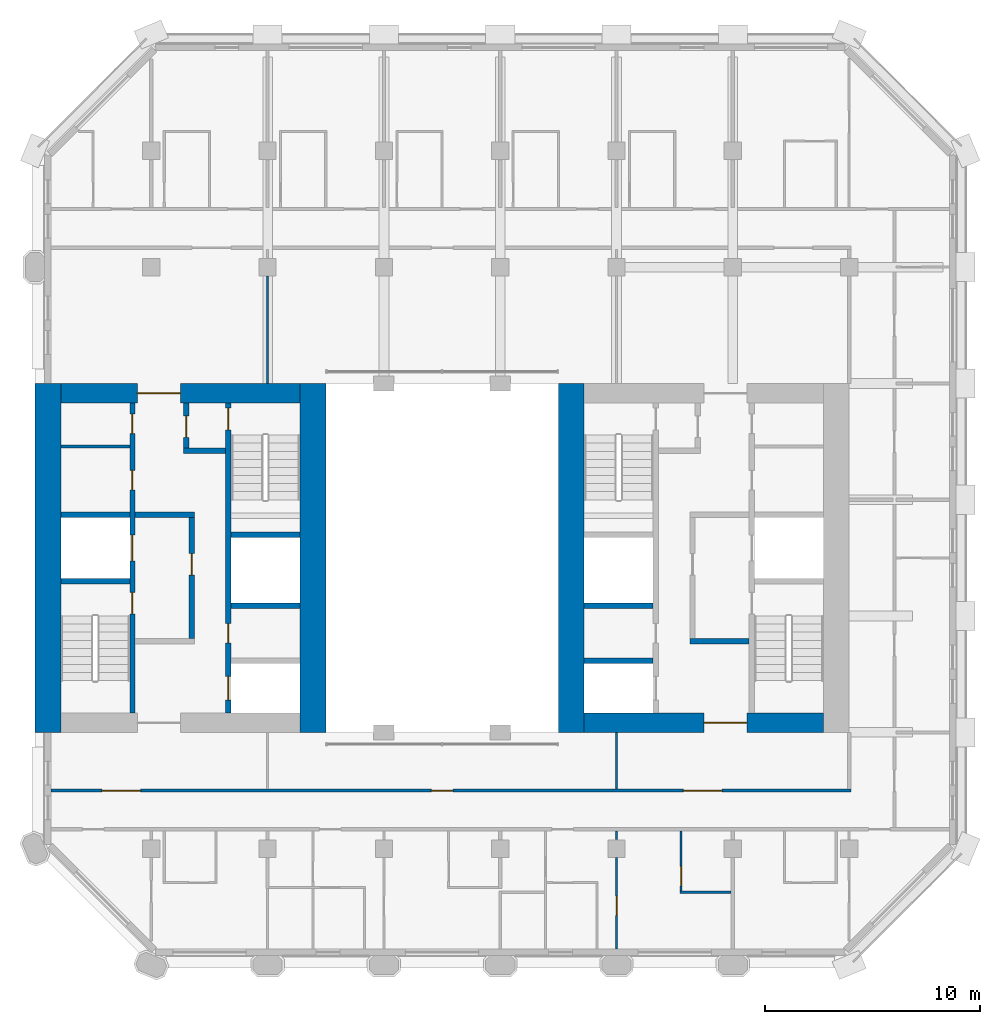
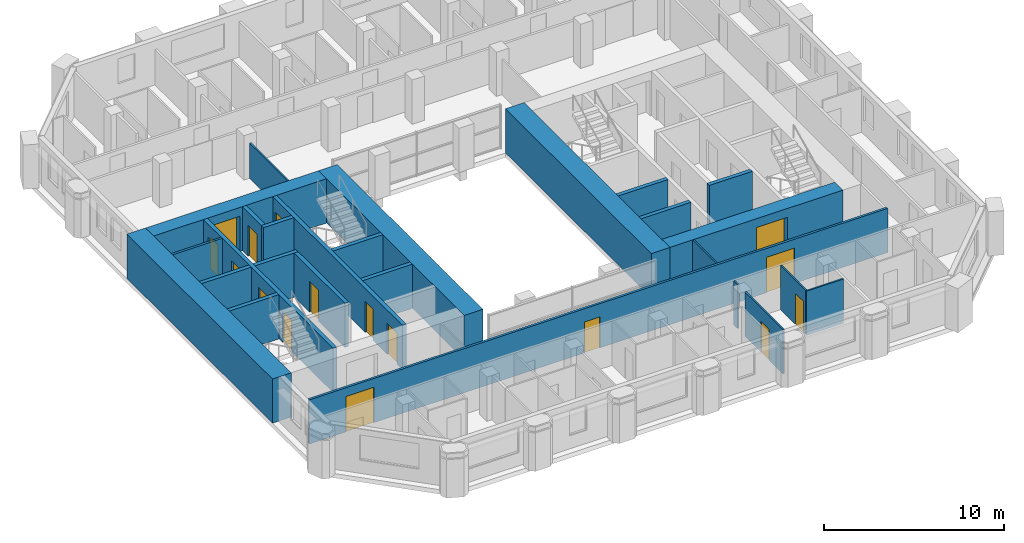
# One storey, part 5 of 12: 26 walls, 16 doors, 16 openings.
"""IFC4 building model written with IfcOpenShell, lengths in metres."""

import ifcopenshell
import ifcopenshell.guid

model = None  # the IFC model being written
_history = None  # IfcOwnerHistory: only IFC2X3 demands one
_inside = {}  # id of a spatial element -> (the spatial element, [elements in it])
_under = {}  # id of a project, library or spatial element -> (it, [spatial elements below it])
_declared = {}  # id of a project -> (the project, [libraries it declares])
_typed = {}  # id of a type object -> (the type object, [elements of that type])
_made_of = {}  # id of a material, layer set ... -> (it, [elements and type objects made of it])


def new_model(schema):
    """Start an empty IFC model of exactly this schema.

    Asked for "IFC4X3", IfcOpenShell would pick the latest addendum, in which some entities
    have other attributes; the version numbers below select the first issue.
    IFC2X3 requires an IfcOwnerHistory on every rooted entity: one is made here for all.
    """
    global model, _history
    if schema == "IFC4X3":
        model = ifcopenshell.file(schema_version=(4, 3, 0, 0))
    else:
        model = ifcopenshell.file(schema=schema)
    _inside.clear()
    _under.clear()
    _declared.clear()
    _typed.clear()
    _made_of.clear()
    _history = None
    if model.schema == "IFC2X3":
        org = make("IfcOrganization", Name="unknown")
        user = make(
            "IfcPersonAndOrganization",
            ThePerson=make("IfcPerson", FamilyName="unknown"),
            TheOrganization=org,
        )
        app = make(
            "IfcApplication",
            ApplicationDeveloper=org,
            Version="unknown",
            ApplicationFullName="unknown",
            ApplicationIdentifier="unknown",
        )
        _history = make(
            "IfcOwnerHistory",
            OwningUser=user,
            OwningApplication=app,
            ChangeAction="ADDED",
            CreationDate=0,
        )
    return model


def make(cls, **values):
    """One entity of the class cls with the attributes given. An attribute that is None is left unset."""
    return model.create_entity(
        cls, **{name: value for name, value in values.items() if value is not None}
    )


def rooted(cls, **values):
    """An entity with a GlobalId (a new one), such as an element, a storey or a relation."""
    return make(cls, GlobalId=ifcopenshell.guid.new(), OwnerHistory=_history, **values)


def si_unit(unit_type, name, prefix=None):
    """IfcSIUnit, for example si_unit("LENGTHUNIT", "METRE", prefix="MILLI")."""
    return make("IfcSIUnit", UnitType=unit_type, Prefix=prefix, Name=name)


def assignment(units):
    """IfcUnitAssignment: the units of a project."""
    return None if units is None else make("IfcUnitAssignment", Units=units)


def point(xyz):
    """IfcCartesianPoint."""
    return None if xyz is None else make("IfcCartesianPoint", Coordinates=xyz)


def direction(xyz):
    """IfcDirection."""
    return None if xyz is None else make("IfcDirection", DirectionRatios=xyz)


def frame(location, z_axis=None, x_axis=None):
    """IfcAxis2Placement3D, a coordinate frame: its origin and axes. An axis left out is left unset."""
    return make(
        "IfcAxis2Placement3D",
        Location=point(location),
        Axis=direction(z_axis),
        RefDirection=direction(x_axis),
    )


def frame_2d(location, x_axis=None):
    """IfcAxis2Placement2D, a coordinate frame in the plane: its origin and x axis."""
    return make(
        "IfcAxis2Placement2D", Location=point(location), RefDirection=direction(x_axis)
    )


def origin():
    """The frame at (0, 0, 0) with its axes left unset."""
    return frame((0.0, 0.0, 0.0))


def place(relative_to, where):
    """IfcLocalPlacement: puts the frame where relative to a parent placement (None: the world)."""
    return make(
        "IfcLocalPlacement", PlacementRelTo=relative_to, RelativePlacement=where
    )


def context(
    kind, dimensions, precision=None, world=None, true_north=None, identifier=None
):
    """IfcGeometricRepresentationContext, for example the 3D "Model" context."""
    return make(
        "IfcGeometricRepresentationContext",
        ContextIdentifier=identifier,
        ContextType=kind,
        CoordinateSpaceDimension=dimensions,
        Precision=precision,
        WorldCoordinateSystem=world,
        TrueNorth=true_north,
    )


def subcontext(parent, identifier, kind, view, scale=None):
    """IfcGeometricRepresentationSubContext, for example "Body" below "Model"."""
    return make(
        "IfcGeometricRepresentationSubContext",
        ContextIdentifier=identifier,
        ContextType=kind,
        ParentContext=parent,
        TargetScale=scale,
        TargetView=view,
    )


def project(units=None, contexts=None):
    """IfcProject with its units and contexts."""
    return rooted(
        "IfcProject",
        Name="project",
        RepresentationContexts=contexts,
        UnitsInContext=assignment(units),
    )


def spatial(cls, under=None, at=None, **own):
    """A site, building, storey or space (cls), placed at a placement, below another one or the project."""
    s = rooted(cls, ObjectPlacement=at, **own)
    if under is not None:
        _under.setdefault(under.id(), (under, []))[1].append(s)
    return s


def profile(cls, at=None, kind="AREA", **sizes):
    """A parametric profile (cls). Its sizes go by their IFC names, for example OverallWidth=200.0."""
    return make(cls, ProfileType=kind, Position=at, **sizes)


def rectangle(**sizes):
    """IfcRectangleProfileDef."""
    return profile("IfcRectangleProfileDef", **sizes)


def extrude(swept, where, along, depth):
    """IfcExtrudedAreaSolid: the profile swept, set in the frame where, extruded along a direction by depth."""
    return make(
        "IfcExtrudedAreaSolid",
        SweptArea=swept,
        Position=where,
        ExtrudedDirection=direction(along),
        Depth=depth,
    )


def shape(context_of_items, identifier, shape_type, items):
    """IfcShapeRepresentation: the items that make up one representation, for example the "Body"."""
    return make(
        "IfcShapeRepresentation",
        ContextOfItems=context_of_items,
        RepresentationIdentifier=identifier,
        RepresentationType=shape_type,
        Items=items,
    )


def material(Name=None, Category=None):
    """IfcMaterial."""
    return make("IfcMaterial", Name=Name, Category=Category)


def layer(
    of_material, thickness, ventilated=None, Name=None, Category=None, Priority=None
):
    """IfcMaterialLayer: one layer of a wall or slab, of a material (None: an air gap)."""
    return make(
        "IfcMaterialLayer",
        Material=of_material,
        LayerThickness=thickness,
        IsVentilated=ventilated,
        Name=Name,
        Category=Category,
        Priority=Priority,
    )


def layer_set(layers, Name=None):
    """IfcMaterialLayerSet."""
    return make("IfcMaterialLayerSet", MaterialLayers=layers, LayerSetName=Name)


def made_of(thing, what):
    """Note that an element or type object is made of a material, layer set ...; save() writes the relation."""
    if what is not None:
        _made_of.setdefault(what.id(), (what, []))[1].append(thing)
    return thing


def type_object(cls, material=None, **own):
    """A type object (cls), such as IfcWallType, which elements share."""
    return made_of(rooted(cls, **own), material)


def element(
    cls,
    number,
    at=None,
    inside=None,
    cuts=None,
    type_object=None,
    material=None,
    context=None,
    identifier="Body",
    shape_type=None,
    held_by="IfcProductDefinitionShape",
    body=None,
    shapes=None,
    **own,
):
    """One element of the class cls, such as IfcWall. Its Tag is "e" and its number.

    at: its placement. inside: the storey or other place that contains it. cuts: it is an
    opening in that element (IfcRelVoidsElement). A single representation is given by context,
    identifier, shape_type and body (its items); several are given by shapes. held_by: the class
    of the entity that holds the representations. save() writes the other relations.
    """
    e = rooted(cls, Tag="e%d" % number, ObjectPlacement=at, **own)
    if body is not None:
        shapes = [shape(context, identifier, shape_type, body)]
    if shapes is not None:
        e.Representation = make(held_by, Representations=shapes)
    if inside is not None:
        _inside.setdefault(inside.id(), (inside, []))[1].append(e)
    if cuts is not None:
        rooted(
            "IfcRelVoidsElement", RelatingBuildingElement=cuts, RelatedOpeningElement=e
        )
    if type_object is not None:
        _typed.setdefault(type_object.id(), (type_object, []))[1].append(e)
    return made_of(e, material)


def fill(opening, filler):
    """IfcRelFillsElement: the door or window that sits in an opening."""
    return rooted(
        "IfcRelFillsElement",
        RelatingOpeningElement=opening,
        RelatedBuildingElement=filler,
    )


def aggregate(whole, parts):
    """IfcRelAggregates: a whole, such as a stair, and the parts it consists of."""
    return rooted("IfcRelAggregates", RelatingObject=whole, RelatedObjects=parts)


def save(model, path):
    """Write the relations noted so far, then the file.

    IfcRelAggregates (storeys below a building ...), IfcRelContainedInSpatialStructure (elements
    in a storey), IfcRelDefinesByType, IfcRelAssociatesMaterial and IfcRelDeclares: one each for
    every whole, place, type object, material and project.
    """
    for whole, parts in _under.values():
        aggregate(whole, parts)
    for where, things in _inside.values():
        rooted(
            "IfcRelContainedInSpatialStructure",
            RelatedElements=things,
            RelatingStructure=where,
        )
    for kind, things in _typed.values():
        rooted("IfcRelDefinesByType", RelatedObjects=things, RelatingType=kind)
    for what, things in _made_of.values():
        rooted("IfcRelAssociatesMaterial", RelatedObjects=things, RelatingMaterial=what)
    for by, libraries in _declared.values():
        rooted("IfcRelDeclares", RelatingContext=by, RelatedDefinitions=libraries)
    model.write(path)


model = new_model("IFC4")

# Units and contexts
model_context = context("Model", 3, precision=1e-05, world=origin(), true_north=direction((0.0, 1.0)))
body_context = subcontext(model_context, "Body", "Model", "MODEL_VIEW")
ifc_project = project(units=[si_unit("LENGTHUNIT", "METRE"), si_unit("AREAUNIT", "SQUARE_METRE"), si_unit("VOLUMEUNIT", "CUBIC_METRE"), si_unit("PLANEANGLEUNIT", "RADIAN"), si_unit("MASSUNIT", "GRAM", prefix="KILO")], contexts=[model_context])

# Site, building, storey
site_placement = place(None, origin())
site = spatial("IfcSite", under=ifc_project, at=site_placement, CompositionType="ELEMENT")
building_placement = place(site_placement, origin())
building = spatial("IfcBuilding", under=site, at=building_placement, Name="Tabaq Tower and Sports Hall", CompositionType="ELEMENT")
storey_placement = place(building_placement, frame((0.0, 0.0, 187.300048828125)))
storey = spatial("IfcBuildingStorey", under=building, at=storey_placement, Name="L45", CompositionType="ELEMENT", Elevation=187.300048828125)

# Walls
ifc_material_1 = material(Name="Blockwork", Category="masonry")
ifc_layer_1 = layer(ifc_material_1, 0.14990234375)
ifc_layer_set_1 = layer_set([ifc_layer_1], Name="Core room partition 150 Blockwork")
wall_type_1 = type_object("IfcWallType", Name="Core room partition 150 Blockwork", PredefinedType="PARTITIONING", material=ifc_layer_set_1)
wall_1_placement = place(storey_placement, frame((6.60009765625, 29.469970703125, 0.0), z_axis=(0.0, 0.0, 1.0), x_axis=(1.0, 0.0, 0.0)))
element("IfcWall", 1, at=wall_1_placement, inside=storey, type_object=wall_type_1, Name="Core room partition W L45", PredefinedType="PARTITIONING", context=body_context, shape_type="SweptSolid", body=[
    extrude(rectangle(XDim=3.199951171875, YDim=0.14990234375, at=frame_2d((1.60009765625, 0.0))), origin(), (0.0, 0.0, 1.0), 3.0),
])
ifc_material_2 = material(Name="Concrete C50/60", Category="concrete")
ifc_layer_2 = layer(ifc_material_2, 1.199951171875)
ifc_layer_set_2 = layer_set([ifc_layer_2], Name="Core wall 1200 Concrete C50/60")
wall_type_2 = type_object("IfcWallType", Name="Core wall 1200 Concrete C50/60", PredefinedType="SOLIDWALL", material=ifc_layer_set_2)
for number, where, z_axis, x_axis, name in (
    (2, (6.0, 16.199951171875, 0.0), (0.0, 0.0, 1.0), (0.0, 1.0, 0.0), "Core wall W L45"),
    (3, (18.300048828125, 32.39990234375, 0.0), (0.0, 0.0, 1.0), (0.0, -1.0, 0.0), "Core wall W L45"),
    (4, (30.300048828125, 16.199951171875, 0.0), (0.0, 0.0, 1.0), (0.0, 1.0, 0.0), "Core wall E L45"),
):
    element("IfcWall", number, at=place(storey_placement, frame(where, z_axis=z_axis, x_axis=x_axis)), inside=storey, type_object=wall_type_2, Name=name, PredefinedType="SOLIDWALL", context=body_context, shape_type="SweptSolid", body=[
        extrude(rectangle(XDim=16.199951171875, YDim=1.199951171875, at=frame_2d((8.10009765625, 0.0))), origin(), (0.0, 0.0, 1.0), 3.0),
    ])

# Wall, opening, door
ifc_material_3 = material(Name="Concrete C50/60", Category="concrete")
ifc_layer_3 = layer(ifc_material_3, 0.89990234375)
ifc_layer_set_3 = layer_set([ifc_layer_3], Name="Core wall 900 Concrete C50/60")
wall_type_3 = type_object("IfcWallType", Name="Core wall 900 Concrete C50/60", PredefinedType="SOLIDWALL", material=ifc_layer_set_3)
wall_2_placement = place(storey_placement, frame((6.60009765625, 31.949951171875, 0.0), z_axis=(0.0, 0.0, 1.0), x_axis=(1.0, 0.0, 0.0)))
wall_2 = element("IfcWall", 5, at=wall_2_placement, inside=storey, type_object=wall_type_3, Name="Core wall W L45", PredefinedType="SOLIDWALL", context=body_context, shape_type="SweptSolid", body=[
    extrude(rectangle(XDim=11.099853515625, YDim=0.89990234375, at=frame_2d((5.5498046875, 0.0))), origin(), (0.0, 0.0, 1.0), 3.0),
])
opening_1_placement = place(wall_2_placement, frame((3.550048828125, 0.0, 0.0)))
opening_1 = element("IfcOpeningElement", 6, at=opening_1_placement, cuts=wall_2, Name="Opening PD-WL45-02", PredefinedType="OPENING", context=body_context, shape_type="SweptSolid", body=[
    extrude(rectangle(XDim=2.0, YDim=2.39990234375, at=frame_2d((1.0, 1.199951171875))), frame((0.0, 0.449951171875, 0.0), z_axis=(0.0, -1.0, 0.0), x_axis=(1.0, 0.0, 0.0)), (0.0, 0.0, 1.0), 0.89990234375),
])
ifc_material_4 = material(Name="Steel fire door", Category="steel")
door_type_1 = type_object("IfcDoorType", Name="Core entrance door 2000", OperationType="DOUBLE_DOOR_SINGLE_SWING", PredefinedType="DOOR", material=ifc_material_4)
door_1_placement = place(opening_1_placement, origin())
door_1 = element("IfcDoor", 7, at=door_1_placement, inside=storey, type_object=door_type_1, Name="Core entrance north W L45", OperationType="DOUBLE_DOOR_SINGLE_SWING", OverallHeight=2.39990234375, OverallWidth=2.0, PredefinedType="DOOR", context=body_context, shape_type="SweptSolid", body=[
    extrude(rectangle(XDim=2.0, YDim=2.39990234375, at=frame_2d((1.0, 1.199951171875))), frame((0.0, 0.02490234375, 0.0), z_axis=(0.0, -1.0, 0.0), x_axis=(1.0, 0.0, 0.0)), (0.0, 0.0, 1.0), 0.050048828125),
])
fill(opening_1, door_1)

wall_3_placement = place(storey_placement, frame((42.0, 16.64990234375, 0.0), z_axis=(0.0, 0.0, 1.0), x_axis=(-1.0, 0.0, 0.0)))
wall_3 = element("IfcWall", 8, at=wall_3_placement, inside=storey, type_object=wall_type_3, Name="Core wall E L45", PredefinedType="SOLIDWALL", context=body_context, shape_type="SweptSolid", body=[
    extrude(rectangle(XDim=11.10009765625, YDim=0.89990234375, at=frame_2d((5.550048828125, 0.0))), origin(), (0.0, 0.0, 1.0), 3.0),
])
opening_2_placement = place(wall_3_placement, frame((3.550048828125, 0.0, 0.0)))
opening_2 = element("IfcOpeningElement", 9, at=opening_2_placement, cuts=wall_3, Name="Opening PD-EL45-01", PredefinedType="OPENING", context=body_context, shape_type="SweptSolid", body=[
    extrude(rectangle(XDim=2.0, YDim=2.39990234375, at=frame_2d((1.0, 1.199951171875))), frame((0.0, 0.449951171875, 0.0), z_axis=(0.0, -1.0, 0.0), x_axis=(1.0, 0.0, 0.0)), (0.0, 0.0, 1.0), 0.89990234375),
])
door_2_placement = place(opening_2_placement, origin())
door_2 = element("IfcDoor", 10, at=door_2_placement, inside=storey, type_object=door_type_1, Name="Core entrance south E L45", OperationType="DOUBLE_DOOR_SINGLE_SWING", OverallHeight=2.39990234375, OverallWidth=2.0, PredefinedType="DOOR", context=body_context, shape_type="SweptSolid", body=[
    extrude(rectangle(XDim=2.0, YDim=2.39990234375, at=frame_2d((1.0, 1.199951171875))), frame((0.0, 0.02490234375, 0.0), z_axis=(0.0, -1.0, 0.0), x_axis=(1.0, 0.0, 0.0)), (0.0, 0.0, 1.0), 0.050048828125),
])
fill(opening_2, door_2)

# Walls
ifc_material_5 = material(Name="Gypsum board on steel studs", Category="steel")
ifc_layer_4 = layer(ifc_material_5, 0.10009765625)
ifc_layer_set_4 = layer_set([ifc_layer_4], Name="Partition 100 Gypsum board")
wall_type_4 = type_object("IfcWallType", Name="Partition 100 Gypsum board", PredefinedType="PARTITIONING", material=ifc_layer_set_4)
wall_4_placement = place(storey_placement, frame((16.199951171875, 37.3798828125, 0.0), z_axis=(0.0, 0.0, 1.0), x_axis=(0.0, -1.0, 0.0)))
element("IfcWall", 11, at=wall_4_placement, inside=storey, type_object=wall_type_4, Name="Partition wall L45", PredefinedType="PARTITIONING", context=body_context, shape_type="SweptSolid", body=[
    extrude(rectangle(XDim=4.97998046875, YDim=0.10009765625, at=frame_2d((2.489990234375, 0.0))), origin(), (0.0, 0.0, 1.0), 2.39990234375),
])
wall_5_placement = place(storey_placement, frame((37.72509765625, 8.77490234375, 0.0), z_axis=(0.0, 0.0, 1.0), x_axis=(-1.0, 0.0, 0.0)))
element("IfcWall", 12, at=wall_5_placement, inside=storey, type_object=wall_type_4, Name="Partition wall L45", PredefinedType="PARTITIONING", context=body_context, shape_type="SweptSolid", body=[
    extrude(rectangle(XDim=2.375, YDim=0.10009765625, at=frame_2d((1.1875, 0.0))), origin(), (0.0, 0.0, 1.0), 3.0),
])

# Wall, opening, door
wall_6_placement = place(storey_placement, frame((35.39990234375, 8.824951171875, 0.0), z_axis=(0.0, 0.0, 1.0), x_axis=(0.0, 1.0, 0.0)))
wall_6 = element("IfcWall", 13, at=wall_6_placement, inside=storey, type_object=wall_type_4, Name="Partition wall L45", PredefinedType="PARTITIONING", context=body_context, shape_type="SweptSolid", body=[
    extrude(rectangle(XDim=2.800048828125, YDim=0.10009765625, at=frame_2d((1.39990234375, 0.0))), origin(), (0.0, 0.0, 1.0), 3.0),
])
opening_3_placement = place(wall_6_placement, frame((0.25, 0.0, 0.0)))
opening_3 = element("IfcOpeningElement", 14, at=opening_3_placement, cuts=wall_6, Name="Opening L45-016", PredefinedType="OPENING", context=body_context, shape_type="SweptSolid", body=[
    extrude(rectangle(XDim=0.89990234375, YDim=2.10009765625, at=frame_2d((0.449951171875, 1.050048828125))), frame((0.0, 0.050048828125, 0.0), z_axis=(0.0, -1.0, 0.0), x_axis=(1.0, 0.0, 0.0)), (0.0, 0.0, 1.0), 0.10009765625),
])
ifc_material_6 = material(Name="Timber leaf in steel frame", Category="steel")
door_type_2 = type_object("IfcDoorType", Name="Internal door 900 right hand", OperationType="SINGLE_SWING_RIGHT", PredefinedType="DOOR", material=ifc_material_6)
door_3_placement = place(opening_3_placement, origin())
door_3 = element("IfcDoor", 15, at=door_3_placement, inside=storey, type_object=door_type_2, Name="Internal door L45-016", OperationType="SINGLE_SWING_RIGHT", OverallHeight=2.10009765625, OverallWidth=0.89990234375, PredefinedType="DOOR", context=body_context, shape_type="SweptSolid", body=[
    extrude(rectangle(XDim=0.89990234375, YDim=2.10009765625, at=frame_2d((0.449951171875, 1.050048828125))), frame((0.0, 0.02490234375, 0.0), z_axis=(0.0, -1.0, 0.0), x_axis=(1.0, 0.0, 0.0)), (0.0, 0.0, 1.0), 0.050048828125),
])
fill(opening_3, door_3)

# Wall
wall_7_placement = place(storey_placement, frame((32.39990234375, 11.625, 0.0), z_axis=(0.0, 0.0, 1.0), x_axis=(0.0, -1.0, 0.0)))
element("IfcWall", 16, at=wall_7_placement, inside=storey, type_object=wall_type_4, Name="Partition wall L45", PredefinedType="PARTITIONING", context=body_context, shape_type="SweptSolid", body=[
    extrude(rectangle(XDim=0.405029296875, YDim=0.10009765625, at=frame_2d((0.20263671875, 0.0))), origin(), (0.0, 0.0, 1.0), 3.0),
])

# Wall, opening, door
wall_8_placement = place(storey_placement, frame((32.39990234375, 10.3798828125, 0.0), z_axis=(0.0, 0.0, 1.0), x_axis=(0.0, -1.0, 0.0)))
wall_8 = element("IfcWall", 17, at=wall_8_placement, inside=storey, type_object=wall_type_4, Name="Partition wall L45", PredefinedType="PARTITIONING", context=body_context, shape_type="SweptSolid", body=[
    extrude(rectangle(XDim=4.22900390625, YDim=0.10009765625, at=frame_2d((2.114501953125, 0.0))), origin(), (0.0, 0.0, 1.0), 3.0),
])
opening_4_placement = place(wall_8_placement, frame((1.780029296875, 0.0, 0.0)))
opening_4 = element("IfcOpeningElement", 18, at=opening_4_placement, cuts=wall_8, Name="Opening L45-036", PredefinedType="OPENING", context=body_context, shape_type="SweptSolid", body=[
    extrude(rectangle(XDim=0.89990234375, YDim=2.10009765625, at=frame_2d((0.449951171875, 1.050048828125))), frame((0.0, 0.050048828125, 0.0), z_axis=(0.0, -1.0, 0.0), x_axis=(1.0, 0.0, 0.0)), (0.0, 0.0, 1.0), 0.10009765625),
])
ifc_material_7 = material(Name="Timber leaf in steel frame", Category="steel")
door_type_3 = type_object("IfcDoorType", Name="Internal door 900 left hand", OperationType="SINGLE_SWING_LEFT", PredefinedType="DOOR", material=ifc_material_7)
door_4_placement = place(opening_4_placement, origin())
door_4 = element("IfcDoor", 19, at=door_4_placement, inside=storey, type_object=door_type_3, Name="Internal door L45-036", OperationType="SINGLE_SWING_LEFT", OverallHeight=2.10009765625, OverallWidth=0.89990234375, PredefinedType="DOOR", context=body_context, shape_type="SweptSolid", body=[
    extrude(rectangle(XDim=0.89990234375, YDim=2.10009765625, at=frame_2d((0.449951171875, 1.050048828125))), frame((0.0, 0.02490234375, 0.0), z_axis=(0.0, -1.0, 0.0), x_axis=(1.0, 0.0, 0.0)), (0.0, 0.0, 1.0), 0.050048828125),
])
fill(opening_4, door_4)

# Wall
wall_9_placement = place(storey_placement, frame((32.39990234375, 13.574951171875, 0.0), z_axis=(0.0, 0.0, 1.0), x_axis=(0.0, 1.0, 0.0)))
element("IfcWall", 20, at=wall_9_placement, inside=storey, type_object=wall_type_4, Name="Partition wall L45", PredefinedType="PARTITIONING", context=body_context, shape_type="SweptSolid", body=[
    extrude(rectangle(XDim=2.625, YDim=0.10009765625, at=frame_2d((1.3125, 0.0))), origin(), (0.0, 0.0, 1.0), 3.0),
])

# Wall, openings, doors
ifc_material_8 = material(Name="Blockwork", Category="masonry")
ifc_layer_5 = layer(ifc_material_8, 0.14990234375)
ifc_layer_set_5 = layer_set([ifc_layer_5], Name="Separating wall 150 Blockwork")
wall_type_5 = type_object("IfcWallType", Name="Separating wall 150 Blockwork", PredefinedType="PARTITIONING", material=ifc_layer_set_5)
wall_10_placement = place(storey_placement, frame((6.15087890625, 13.5, 0.0), z_axis=(0.0, 0.0, 1.0), x_axis=(1.0, 0.0, 0.0)))
wall_10 = element("IfcWall", 21, at=wall_10_placement, inside=storey, type_object=wall_type_5, Name="Separating wall L45", PredefinedType="PARTITIONING", context=body_context, shape_type="SweptSolid", body=[
    extrude(rectangle(XDim=37.1240234375, YDim=0.14990234375, at=frame_2d((18.56201171875, 0.0))), origin(), (0.0, 0.0, 1.0), 3.0),
])
opening_5_placement = place(wall_10_placement, frame((17.64892578125, 0.0, 0.0)))
opening_5 = element("IfcOpeningElement", 22, at=opening_5_placement, cuts=wall_10, Name="Opening L45-020", PredefinedType="OPENING", context=body_context, shape_type="SweptSolid", body=[
    extrude(rectangle(XDim=1.0, YDim=2.10009765625, at=frame_2d((0.5, 1.050048828125))), frame((0.0, 0.074951171875, 0.0), z_axis=(0.0, -1.0, 0.0), x_axis=(1.0, 0.0, 0.0)), (0.0, 0.0, 1.0), 0.14990234375),
])
opening_6_placement = place(wall_10_placement, frame((2.34912109375, 0.0, 0.0)))
opening_6 = element("IfcOpeningElement", 23, at=opening_6_placement, cuts=wall_10, Name="Opening L45-040", PredefinedType="OPENING", context=body_context, shape_type="SweptSolid", body=[
    extrude(rectangle(XDim=1.800048828125, YDim=2.39990234375, at=frame_2d((0.89990234375, 1.199951171875))), frame((0.0, 0.074951171875, 0.0), z_axis=(0.0, -1.0, 0.0), x_axis=(1.0, 0.0, 0.0)), (0.0, 0.0, 1.0), 0.14990234375),
])
opening_7_placement = place(wall_10_placement, frame((29.34912109375, 0.0, 0.0)))
opening_7 = element("IfcOpeningElement", 24, at=opening_7_placement, cuts=wall_10, Name="Opening L45-041", PredefinedType="OPENING", context=body_context, shape_type="SweptSolid", body=[
    extrude(rectangle(XDim=1.800048828125, YDim=2.39990234375, at=frame_2d((0.89990234375, 1.199951171875))), frame((0.0, 0.074951171875, 0.0), z_axis=(0.0, -1.0, 0.0), x_axis=(1.0, 0.0, 0.0)), (0.0, 0.0, 1.0), 0.14990234375),
])
ifc_material_9 = material(Name="Timber leaf in steel frame", Category="steel")
door_type_4 = type_object("IfcDoorType", Name="Internal door 1000 left hand", OperationType="SINGLE_SWING_LEFT", PredefinedType="DOOR", material=ifc_material_9)
door_5_placement = place(opening_5_placement, origin())
door_5 = element("IfcDoor", 25, at=door_5_placement, inside=storey, type_object=door_type_4, Name="Internal door L45-020", OperationType="SINGLE_SWING_LEFT", OverallHeight=2.10009765625, OverallWidth=1.0, PredefinedType="DOOR", context=body_context, shape_type="SweptSolid", body=[
    extrude(rectangle(XDim=1.0, YDim=2.10009765625, at=frame_2d((0.5, 1.050048828125))), frame((0.0, 0.02490234375, 0.0), z_axis=(0.0, -1.0, 0.0), x_axis=(1.0, 0.0, 0.0)), (0.0, 0.0, 1.0), 0.050048828125),
])
fill(opening_5, door_5)
ifc_material_10 = material(Name="Timber leaf in steel frame", Category="steel")
door_type_5 = type_object("IfcDoorType", Name="Internal door 1800", OperationType="DOUBLE_DOOR_SINGLE_SWING", PredefinedType="DOOR", material=ifc_material_10)
door_6_placement = place(opening_6_placement, origin())
door_6 = element("IfcDoor", 26, at=door_6_placement, inside=storey, type_object=door_type_5, Name="Internal door L45-040", OperationType="DOUBLE_DOOR_SINGLE_SWING", OverallHeight=2.39990234375, OverallWidth=1.800048828125, PredefinedType="DOOR", context=body_context, shape_type="SweptSolid", body=[
    extrude(rectangle(XDim=1.800048828125, YDim=2.39990234375, at=frame_2d((0.89990234375, 1.199951171875))), frame((0.0, 0.02490234375, 0.0), z_axis=(0.0, -1.0, 0.0), x_axis=(1.0, 0.0, 0.0)), (0.0, 0.0, 1.0), 0.050048828125),
])
fill(opening_6, door_6)
door_7_placement = place(opening_7_placement, origin())
door_7 = element("IfcDoor", 27, at=door_7_placement, inside=storey, type_object=door_type_5, Name="Internal door L45-041", OperationType="DOUBLE_DOOR_SINGLE_SWING", OverallHeight=2.39990234375, OverallWidth=1.800048828125, PredefinedType="DOOR", context=body_context, shape_type="SweptSolid", body=[
    extrude(rectangle(XDim=1.800048828125, YDim=2.39990234375, at=frame_2d((0.89990234375, 1.199951171875))), frame((0.0, 0.02490234375, 0.0), z_axis=(0.0, -1.0, 0.0), x_axis=(1.0, 0.0, 0.0)), (0.0, 0.0, 1.0), 0.050048828125),
])
fill(opening_7, door_7)

ifc_material_11 = material(Name="Concrete C40/50", Category="concrete")
ifc_layer_6 = layer(ifc_material_11, 0.25)
ifc_layer_set_6 = layer_set([ifc_layer_6], Name="Shaft and stair wall 250 Concrete C40/50")
wall_type_6 = type_object("IfcWallType", Name="Shaft and stair wall 250 Concrete C40/50", PredefinedType="SOLIDWALL", material=ifc_layer_set_6)
wall_11_placement = place(storey_placement, frame((9.925048828125, 17.10009765625, 0.0), z_axis=(0.0, 0.0, 1.0), x_axis=(0.0, 1.0, 0.0)))
wall_11 = element("IfcWall", 28, at=wall_11_placement, inside=storey, type_object=wall_type_6, Name="Shaft wall W L45", PredefinedType="SOLIDWALL", context=body_context, shape_type="SweptSolid", body=[
    extrude(rectangle(XDim=14.39990234375, YDim=0.25, at=frame_2d((7.199951171875, 0.0))), origin(), (0.0, 0.0, 1.0), 3.0),
])
opening_8_placement = place(wall_11_placement, frame((4.60009765625, 0.0, 0.0)))
opening_8 = element("IfcOpeningElement", 29, at=opening_8_placement, cuts=wall_11, Name="Opening SD-WL45-03", PredefinedType="OPENING", context=body_context, shape_type="SweptSolid", body=[
    extrude(rectangle(XDim=1.0, YDim=2.10009765625, at=frame_2d((0.5, 1.050048828125))), frame((0.0, 0.125, 0.0), z_axis=(0.0, -1.0, 0.0), x_axis=(1.0, 0.0, 0.0)), (0.0, 0.0, 1.0), 0.25),
])
opening_9_placement = place(wall_11_placement, frame((7.0625, 0.0, 0.0)))
opening_9 = element("IfcOpeningElement", 30, at=opening_9_placement, cuts=wall_11, Name="Opening LD-FF1-L45", PredefinedType="OPENING", context=body_context, shape_type="SweptSolid", body=[
    extrude(rectangle(XDim=1.199951171875, YDim=2.10009765625, at=frame_2d((0.60009765625, 1.050048828125))), frame((0.0, 0.125, 0.0), z_axis=(0.0, -1.0, 0.0), x_axis=(1.0, 0.0, 0.0)), (0.0, 0.0, 1.0), 0.25),
])
opening_10_placement = place(wall_11_placement, frame((10.360107421875, 0.0, 0.0)))
opening_10 = element("IfcOpeningElement", 31, at=opening_10_placement, cuts=wall_11, Name="Opening RD-WL45-09", PredefinedType="OPENING", context=body_context, shape_type="SweptSolid", body=[
    extrude(rectangle(XDim=0.89990234375, YDim=2.10009765625, at=frame_2d((0.449951171875, 1.050048828125))), frame((0.0, 0.125, 0.0), z_axis=(0.0, -1.0, 0.0), x_axis=(1.0, 0.0, 0.0)), (0.0, 0.0, 1.0), 0.25),
])
opening_11_placement = place(wall_11_placement, frame((12.972412109375, 0.0, 0.0)))
opening_11 = element("IfcOpeningElement", 32, at=opening_11_placement, cuts=wall_11, Name="Opening RD-WL45-10", PredefinedType="OPENING", context=body_context, shape_type="SweptSolid", body=[
    extrude(rectangle(XDim=0.89990234375, YDim=2.10009765625, at=frame_2d((0.449951171875, 1.050048828125))), frame((0.0, 0.125, 0.0), z_axis=(0.0, -1.0, 0.0), x_axis=(1.0, 0.0, 0.0)), (0.0, 0.0, 1.0), 0.25),
])
ifc_material_12 = material(Name="Steel fire door", Category="steel")
door_type_6 = type_object("IfcDoorType", Name="Core room door 900", OperationType="SINGLE_SWING_LEFT", PredefinedType="DOOR", material=ifc_material_12)
door_8_placement = place(opening_10_placement, origin())
door_8 = element("IfcDoor", 33, at=door_8_placement, inside=storey, type_object=door_type_6, Name="Door Housekeeping Store W L45", OperationType="SINGLE_SWING_LEFT", OverallHeight=2.10009765625, OverallWidth=0.89990234375, PredefinedType="DOOR", context=body_context, shape_type="SweptSolid", body=[
    extrude(rectangle(XDim=0.89990234375, YDim=2.10009765625, at=frame_2d((0.449951171875, 1.050048828125))), frame((0.0, 0.02490234375, 0.0), z_axis=(0.0, -1.0, 0.0), x_axis=(1.0, 0.0, 0.0)), (0.0, 0.0, 1.0), 0.050048828125),
])
fill(opening_10, door_8)
door_9_placement = place(opening_11_placement, origin())
door_9 = element("IfcDoor", 34, at=door_9_placement, inside=storey, type_object=door_type_6, Name="Door Accessible WC W L45", OperationType="SINGLE_SWING_LEFT", OverallHeight=2.10009765625, OverallWidth=0.89990234375, PredefinedType="DOOR", context=body_context, shape_type="SweptSolid", body=[
    extrude(rectangle(XDim=0.89990234375, YDim=2.10009765625, at=frame_2d((0.449951171875, 1.050048828125))), frame((0.0, 0.02490234375, 0.0), z_axis=(0.0, -1.0, 0.0), x_axis=(1.0, 0.0, 0.0)), (0.0, 0.0, 1.0), 0.050048828125),
])
fill(opening_11, door_9)
ifc_material_13 = material(Name="Stainless steel", Category="steel")
door_type_7 = type_object("IfcDoorType", Name="Lift landing door 1200", OperationType="DOUBLE_DOOR_SLIDING", PredefinedType="DOOR", material=ifc_material_13)
door_10_placement = place(opening_9_placement, origin())
door_10 = element("IfcDoor", 35, at=door_10_placement, inside=storey, type_object=door_type_7, Name="Lift landing door FF1 W L45", OperationType="DOUBLE_DOOR_SLIDING", OverallHeight=2.10009765625, OverallWidth=1.199951171875, PredefinedType="DOOR", context=body_context, shape_type="SweptSolid", body=[
    extrude(rectangle(XDim=1.199951171875, YDim=2.10009765625, at=frame_2d((0.60009765625, 1.050048828125))), frame((0.0, 0.02490234375, 0.0), z_axis=(0.0, -1.0, 0.0), x_axis=(1.0, 0.0, 0.0)), (0.0, 0.0, 1.0), 0.050048828125),
])
fill(opening_9, door_10)
ifc_material_14 = material(Name="Steel fire door", Category="steel")
door_type_8 = type_object("IfcDoorType", Name="Stair door 1000", OperationType="SINGLE_SWING_LEFT", PredefinedType="DOOR", material=ifc_material_14)
door_11_placement = place(opening_8_placement, origin())
door_11 = element("IfcDoor", 36, at=door_11_placement, inside=storey, type_object=door_type_8, Name="Stair door ST1 W L45", OperationType="SINGLE_SWING_LEFT", OverallHeight=2.10009765625, OverallWidth=1.0, PredefinedType="DOOR", context=body_context, shape_type="SweptSolid", body=[
    extrude(rectangle(XDim=1.0, YDim=2.10009765625, at=frame_2d((0.5, 1.050048828125))), frame((0.0, 0.02490234375, 0.0), z_axis=(0.0, -1.0, 0.0), x_axis=(1.0, 0.0, 0.0)), (0.0, 0.0, 1.0), 0.050048828125),
])
fill(opening_8, door_11)

wall_12_placement = place(storey_placement, frame((14.375, 17.10009765625, 0.0), z_axis=(0.0, 0.0, 1.0), x_axis=(0.0, 1.0, 0.0)))
wall_12 = element("IfcWall", 37, at=wall_12_placement, inside=storey, type_object=wall_type_6, Name="Shaft wall W L45", PredefinedType="SOLIDWALL", context=body_context, shape_type="SweptSolid", body=[
    extrude(rectangle(XDim=14.39990234375, YDim=0.25, at=frame_2d((7.199951171875, 0.0))), origin(), (0.0, 0.0, 1.0), 3.0),
])
opening_12_placement = place(wall_12_placement, frame((13.14990234375, 0.0, 0.0)))
opening_12 = element("IfcOpeningElement", 38, at=opening_12_placement, cuts=wall_12, Name="Opening SD-WL45-05", PredefinedType="OPENING", context=body_context, shape_type="SweptSolid", body=[
    extrude(rectangle(XDim=1.0, YDim=2.10009765625, at=frame_2d((0.5, 1.050048828125))), frame((0.0, 0.125, 0.0), z_axis=(0.0, -1.0, 0.0), x_axis=(1.0, 0.0, 0.0)), (0.0, 0.0, 1.0), 0.25),
])
opening_13_placement = place(wall_12_placement, frame((0.60009765625, 0.0, 0.0)))
opening_13 = element("IfcOpeningElement", 39, at=opening_13_placement, cuts=wall_12, Name="Opening LD-MR1-L45", PredefinedType="OPENING", context=body_context, shape_type="SweptSolid", body=[
    extrude(rectangle(XDim=1.10009765625, YDim=2.10009765625, at=frame_2d((0.550048828125, 1.050048828125))), frame((0.0, 0.125, 0.0), z_axis=(0.0, -1.0, 0.0), x_axis=(1.0, 0.0, 0.0)), (0.0, 0.0, 1.0), 0.25),
])
opening_14_placement = place(wall_12_placement, frame((3.25, 0.0, 0.0)))
opening_14 = element("IfcOpeningElement", 40, at=opening_14_placement, cuts=wall_12, Name="Opening RD-WL45-11", PredefinedType="OPENING", context=body_context, shape_type="SweptSolid", body=[
    extrude(rectangle(XDim=0.89990234375, YDim=2.10009765625, at=frame_2d((0.449951171875, 1.050048828125))), frame((0.0, 0.125, 0.0), z_axis=(0.0, -1.0, 0.0), x_axis=(1.0, 0.0, 0.0)), (0.0, 0.0, 1.0), 0.25),
])
door_12_placement = place(opening_14_placement, origin())
door_12 = element("IfcDoor", 41, at=door_12_placement, inside=storey, type_object=door_type_6, Name="Door Cleaner's Store W L45", OperationType="SINGLE_SWING_LEFT", OverallHeight=2.10009765625, OverallWidth=0.89990234375, PredefinedType="DOOR", context=body_context, shape_type="SweptSolid", body=[
    extrude(rectangle(XDim=0.89990234375, YDim=2.10009765625, at=frame_2d((0.449951171875, 1.050048828125))), frame((0.0, 0.02490234375, 0.0), z_axis=(0.0, -1.0, 0.0), x_axis=(1.0, 0.0, 0.0)), (0.0, 0.0, 1.0), 0.050048828125),
])
fill(opening_14, door_12)
ifc_material_15 = material(Name="Stainless steel", Category="steel")
door_type_9 = type_object("IfcDoorType", Name="Lift landing door 1100", OperationType="DOUBLE_DOOR_SLIDING", PredefinedType="DOOR", material=ifc_material_15)
door_13_placement = place(opening_13_placement, origin())
door_13 = element("IfcDoor", 42, at=door_13_placement, inside=storey, type_object=door_type_9, Name="Lift landing door MR1 W L45", OperationType="DOUBLE_DOOR_SLIDING", OverallHeight=2.10009765625, OverallWidth=1.10009765625, PredefinedType="DOOR", context=body_context, shape_type="SweptSolid", body=[
    extrude(rectangle(XDim=1.10009765625, YDim=2.10009765625, at=frame_2d((0.550048828125, 1.050048828125))), frame((0.0, 0.02490234375, 0.0), z_axis=(0.0, -1.0, 0.0), x_axis=(1.0, 0.0, 0.0)), (0.0, 0.0, 1.0), 0.050048828125),
])
fill(opening_13, door_13)
door_14_placement = place(opening_12_placement, origin())
door_14 = element("IfcDoor", 43, at=door_14_placement, inside=storey, type_object=door_type_8, Name="Stair door ST2 W L45", OperationType="SINGLE_SWING_LEFT", OverallHeight=2.10009765625, OverallWidth=1.0, PredefinedType="DOOR", context=body_context, shape_type="SweptSolid", body=[
    extrude(rectangle(XDim=1.0, YDim=2.10009765625, at=frame_2d((0.5, 1.050048828125))), frame((0.0, 0.02490234375, 0.0), z_axis=(0.0, -1.0, 0.0), x_axis=(1.0, 0.0, 0.0)), (0.0, 0.0, 1.0), 0.050048828125),
])
fill(opening_12, door_14)

# Walls
for number, where, z_axis, x_axis, name in (
    (44, (6.60009765625, 23.22509765625, 0.0), (0.0, 0.0, 1.0), (1.0, 0.0, 0.0), "Stair enclosure wall W L45"),
    (45, (14.5, 25.375, 0.0), (0.0, 0.0, 1.0), (1.0, 0.0, 0.0), "Stair enclosure wall W L45"),
    (46, (14.5, 22.074951171875, 0.0), (0.0, 0.0, 1.0), (1.0, 0.0, 0.0), "Shaft wall W L45"),
    (47, (6.60009765625, 26.300048828125, 0.0), (0.0, 0.0, 1.0), (1.0, 0.0, 0.0), "Shaft wall W L45"),
):
    element("IfcWall", number, at=place(storey_placement, frame(where, z_axis=z_axis, x_axis=x_axis)), inside=storey, type_object=wall_type_6, Name=name, PredefinedType="SOLIDWALL", context=body_context, shape_type="SweptSolid", body=[
        extrude(rectangle(XDim=3.199951171875, YDim=0.25, at=frame_2d((1.60009765625, 0.0))), origin(), (0.0, 0.0, 1.0), 3.0),
    ])
wall_13_placement = place(storey_placement, frame((10.050048828125, 26.300048828125, 0.0), z_axis=(0.0, 0.0, 1.0), x_axis=(1.0, 0.0, 0.0)))
element("IfcWall", 48, at=wall_13_placement, inside=storey, type_object=wall_type_6, Name="Fire-fighting lobby wall W L45", PredefinedType="SOLIDWALL", context=body_context, shape_type="SweptSolid", body=[
    extrude(rectangle(XDim=2.75, YDim=0.25, at=frame_2d((1.375, 0.0))), origin(), (0.0, 0.0, 1.0), 3.0),
])

# Wall, opening, door
wall_14_placement = place(storey_placement, frame((12.425048828125, 29.39990234375, 0.0), z_axis=(0.0, 0.0, 1.0), x_axis=(0.0, 1.0, 0.0)))
wall_14 = element("IfcWall", 49, at=wall_14_placement, inside=storey, type_object=wall_type_6, Name="Fire-fighting lobby wall W L45", PredefinedType="SOLIDWALL", context=body_context, shape_type="SweptSolid", body=[
    extrude(rectangle(XDim=2.10009765625, YDim=0.25, at=frame_2d((1.050048828125, 0.0))), origin(), (0.0, 0.0, 1.0), 3.0),
])
opening_15_placement = place(wall_14_placement, frame((0.5, 0.0, 0.0)))
opening_15 = element("IfcOpeningElement", 50, at=opening_15_placement, cuts=wall_14, Name="Opening FD-WL45-06", PredefinedType="OPENING", context=body_context, shape_type="SweptSolid", body=[
    extrude(rectangle(XDim=1.0, YDim=2.10009765625, at=frame_2d((0.5, 1.050048828125))), frame((0.0, 0.125, 0.0), z_axis=(0.0, -1.0, 0.0), x_axis=(1.0, 0.0, 0.0)), (0.0, 0.0, 1.0), 0.25),
])
ifc_material_16 = material(Name="Steel fire door", Category="steel")
door_type_10 = type_object("IfcDoorType", Name="Fire-fighting lobby door 1000", OperationType="SINGLE_SWING_LEFT", PredefinedType="DOOR", material=ifc_material_16)
door_15_placement = place(opening_15_placement, origin())
door_15 = element("IfcDoor", 51, at=door_15_placement, inside=storey, type_object=door_type_10, Name="Stair lobby door W L45", OperationType="SINGLE_SWING_LEFT", OverallHeight=2.10009765625, OverallWidth=1.0, PredefinedType="DOOR", context=body_context, shape_type="SweptSolid", body=[
    extrude(rectangle(XDim=1.0, YDim=2.10009765625, at=frame_2d((0.5, 1.050048828125))), frame((0.0, 0.02490234375, 0.0), z_axis=(0.0, -1.0, 0.0), x_axis=(1.0, 0.0, 0.0)), (0.0, 0.0, 1.0), 0.050048828125),
])
fill(opening_15, door_15)

# Wall
wall_15_placement = place(storey_placement, frame((12.300048828125, 29.27490234375, 0.0), z_axis=(0.0, 0.0, 1.0), x_axis=(1.0, 0.0, 0.0)))
element("IfcWall", 52, at=wall_15_placement, inside=storey, type_object=wall_type_6, Name="Fire-fighting lobby wall W L45", PredefinedType="SOLIDWALL", context=body_context, shape_type="SweptSolid", body=[
    extrude(rectangle(XDim=1.949951171875, YDim=0.25, at=frame_2d((0.97509765625, 0.0))), origin(), (0.0, 0.0, 1.0), 3.0),
])

# Wall, opening, door
wall_16_placement = place(storey_placement, frame((12.675048828125, 20.550048828125, 0.0), z_axis=(0.0, 0.0, 1.0), x_axis=(0.0, 1.0, 0.0)))
wall_16 = element("IfcWall", 53, at=wall_16_placement, inside=storey, type_object=wall_type_6, Name="Fire-fighting lobby wall W L45", PredefinedType="SOLIDWALL", context=body_context, shape_type="SweptSolid", body=[
    extrude(rectangle(XDim=5.625, YDim=0.25, at=frame_2d((2.8125, 0.0))), origin(), (0.0, 0.0, 1.0), 3.0),
])
opening_16_placement = place(wall_16_placement, frame((2.949951171875, 0.0, 0.0)))
opening_16 = element("IfcOpeningElement", 54, at=opening_16_placement, cuts=wall_16, Name="Opening FD-WL45-04", PredefinedType="OPENING", context=body_context, shape_type="SweptSolid", body=[
    extrude(rectangle(XDim=1.0, YDim=2.10009765625, at=frame_2d((0.5, 1.050048828125))), frame((0.0, 0.125, 0.0), z_axis=(0.0, -1.0, 0.0), x_axis=(1.0, 0.0, 0.0)), (0.0, 0.0, 1.0), 0.25),
])
door_16_placement = place(opening_16_placement, origin())
door_16 = element("IfcDoor", 55, at=door_16_placement, inside=storey, type_object=door_type_10, Name="Fire-fighting lobby door W L45", OperationType="SINGLE_SWING_LEFT", OverallHeight=2.10009765625, OverallWidth=1.0, PredefinedType="DOOR", context=body_context, shape_type="SweptSolid", body=[
    extrude(rectangle(XDim=1.0, YDim=2.10009765625, at=frame_2d((0.5, 1.050048828125))), frame((0.0, 0.02490234375, 0.0), z_axis=(0.0, -1.0, 0.0), x_axis=(1.0, 0.0, 0.0)), (0.0, 0.0, 1.0), 0.050048828125),
])
fill(opening_16, door_16)

# Walls
wall_17_placement = place(storey_placement, frame((30.89990234375, 22.074951171875, 0.0), z_axis=(0.0, 0.0, 1.0), x_axis=(1.0, 0.0, 0.0)))
element("IfcWall", 56, at=wall_17_placement, inside=storey, type_object=wall_type_6, Name="Shaft wall E L45", PredefinedType="SOLIDWALL", context=body_context, shape_type="SweptSolid", body=[
    extrude(rectangle(XDim=3.2001953125, YDim=0.25, at=frame_2d((1.60009765625, 0.0))), origin(), (0.0, 0.0, 1.0), 3.0),
])
wall_18_placement = place(storey_placement, frame((35.800048828125, 20.425048828125, 0.0), z_axis=(0.0, 0.0, 1.0), x_axis=(1.0, 0.0, 0.0)))
element("IfcWall", 57, at=wall_18_placement, inside=storey, type_object=wall_type_6, Name="Fire-fighting lobby wall E L45", PredefinedType="SOLIDWALL", context=body_context, shape_type="SweptSolid", body=[
    extrude(rectangle(XDim=2.75, YDim=0.25, at=frame_2d((1.375, 0.0))), origin(), (0.0, 0.0, 1.0), 3.0),
])
wall_19_placement = place(storey_placement, frame((30.89990234375, 19.52490234375, 0.0), z_axis=(0.0, 0.0, 1.0), x_axis=(1.0, 0.0, 0.0)))
element("IfcWall", 58, at=wall_19_placement, inside=storey, type_object=wall_type_6, Name="Shaft wall E L45", PredefinedType="SOLIDWALL", context=body_context, shape_type="SweptSolid", body=[
    extrude(rectangle(XDim=3.2001953125, YDim=0.25, at=frame_2d((1.60009765625, 0.0))), origin(), (0.0, 0.0, 1.0), 3.0),
])

save(model, "model.ifc")
